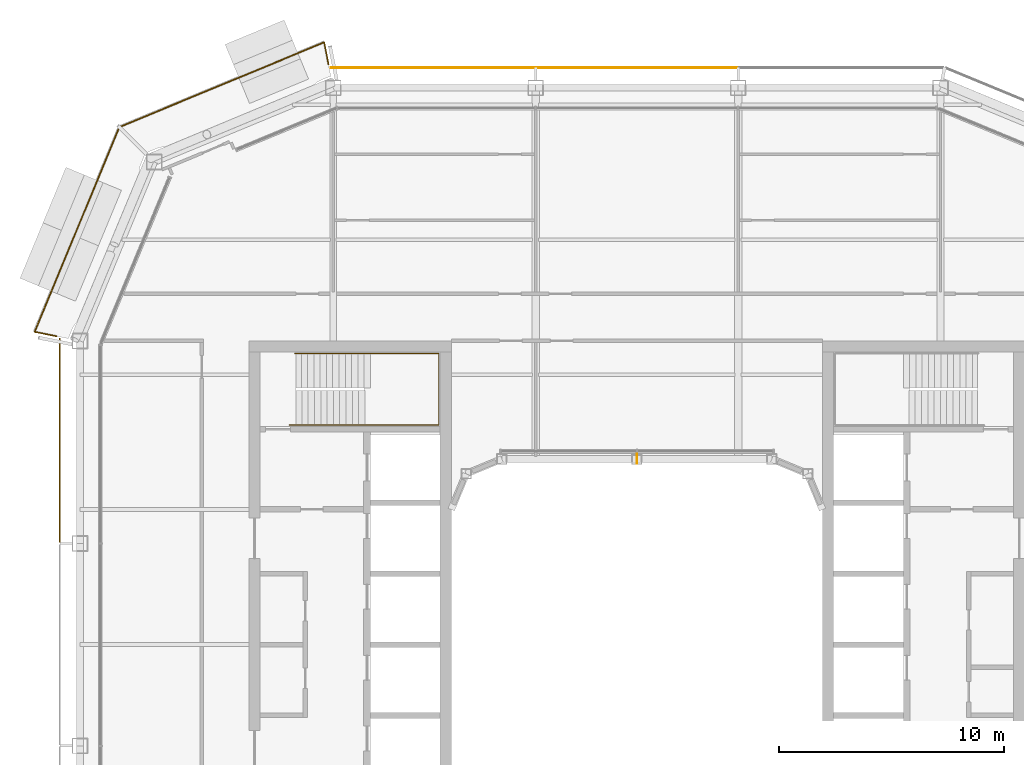
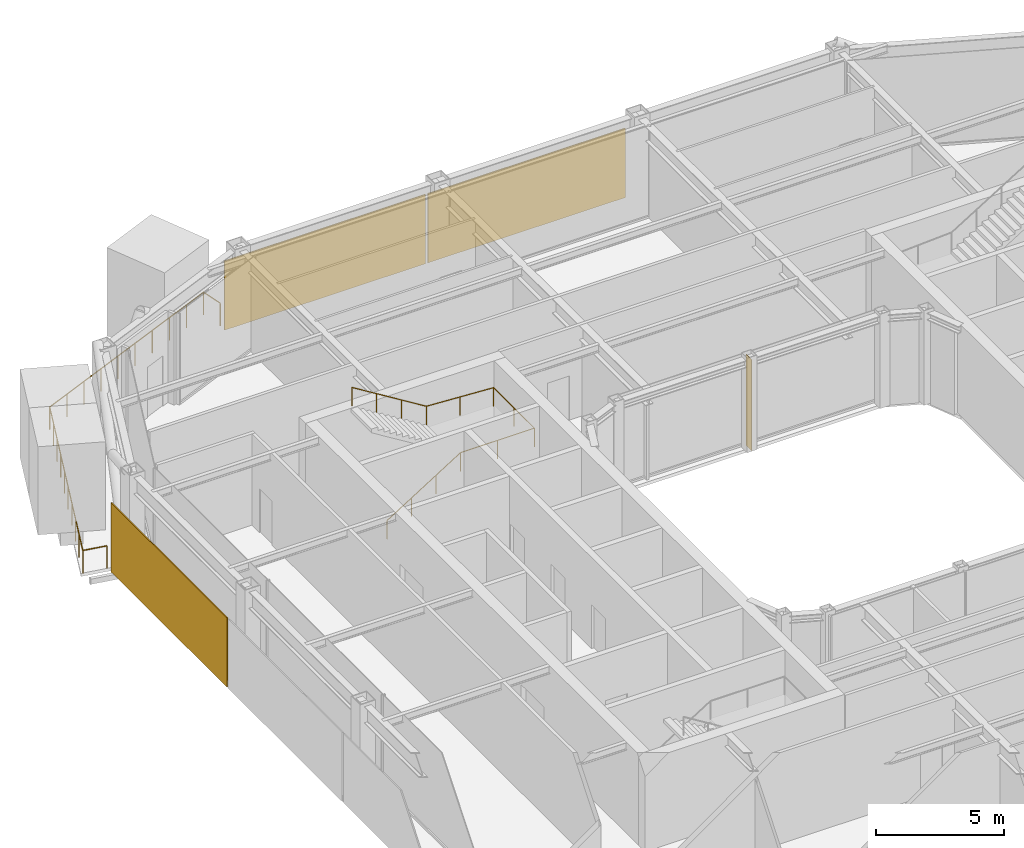
# One storey, part 20 of 22: 3 coverings, 2 railings, 1 shading device.
"""IFC4 building model written with IfcOpenShell, lengths in metres."""

from ifc_helpers import new_model, si_unit, direction, frame, origin, origin_2d, place, context, subcontext, project, spatial, rectangle, circle, extrude, material, layer, layer_set, type_object, element, save


model = new_model("IFC4")

# Units and contexts
model_context = context("Model", 3, precision=1e-05, world=origin(), true_north=direction((0.0, 1.0)))
body_context = subcontext(model_context, "Body", "Model", "MODEL_VIEW")
ifc_project = project(units=[si_unit("LENGTHUNIT", "METRE"), si_unit("AREAUNIT", "SQUARE_METRE"), si_unit("VOLUMEUNIT", "CUBIC_METRE"), si_unit("PLANEANGLEUNIT", "RADIAN"), si_unit("MASSUNIT", "GRAM", prefix="KILO")], contexts=[model_context])

# Site, building, storey
site_placement = place(None, origin())
site = spatial("IfcSite", under=ifc_project, at=site_placement, CompositionType="ELEMENT")
building_placement = place(site_placement, origin())
building = spatial("IfcBuilding", under=site, at=building_placement, Name="Siwar Civic Tower", CompositionType="ELEMENT")
storey_placement = place(building_placement, frame((0.0, 0.0, 330.199951171875)))
storey = spatial("IfcBuildingStorey", under=building, at=storey_placement, Name="L71", CompositionType="ELEMENT", Elevation=330.199951171875)

# Railing
ifc_material_1 = material(Name="Stainless steel", Category="steel")
railing_type_1 = type_object("IfcRailingType", Name="CORE-STAIR-HANDRAIL", PredefinedType="HANDRAIL", material=ifc_material_1)
railing_1_placement = place(storey_placement, frame((-15.449951171875, 9.758056640625, 0.173095703125)))
element("IfcRailing", 1, at=railing_1_placement, inside=storey, type_object=railing_type_1, Name="Stair handrail ST1", PredefinedType="HANDRAIL", context=body_context, shape_type="SweptSolid", body=[
    extrude(circle(Radius=0.02001953125, at=origin_2d()), frame((0.0, 0.0, 0.8798828125), z_axis=(0.847063342986, 0.0, 0.531491950051), x_axis=(0.0, 1.0, 0.0)), (0.0, 0.0, 1.0), 3.90771484375),
    extrude(circle(Radius=0.02001953125, at=origin_2d()), frame((3.31005859375, 0.0, 2.956787109375), z_axis=(1.0, 0.0, 0.0), x_axis=(0.0, 1.0, 0.0)), (0.0, 0.0, 1.0), 3.331787109375),
    extrude(circle(Radius=0.02001953125, at=origin_2d()), frame((6.641845703125, 0.0, 2.956787109375), z_axis=(0.0, 1.0, 0.0), x_axis=(-1.0, 0.0, 0.0)), (0.0, 0.0, 1.0), 3.183837890625),
    extrude(circle(Radius=0.02001953125, at=origin_2d()), frame((6.641845703125, 3.183837890625, 2.956787109375), z_axis=(-0.99837434197, 0.0, 0.056997134106), x_axis=(0.0, -1.0, 0.0)), (0.0, 0.0, 1.0), 3.036865234375),
    extrude(circle(Radius=0.02001953125, at=origin_2d()), frame((3.60986328125, 3.183837890625, 3.1298828125), z_axis=(-0.850606129759, 0.0, 0.525803396734), x_axis=(0.0, -1.0, 0.0)), (0.0, 0.0, 1.0), 3.949951171875),
    extrude(circle(Radius=0.02001953125, at=origin_2d()), origin(), (0.0, 0.0, 1.0), 0.85986328125),
    extrude(circle(Radius=0.02001953125, at=origin_2d()), frame((1.103271484375, 0.0, 0.6923828125)), (0.0, 0.0, 1.0), 0.85986328125),
    extrude(circle(Radius=0.02001953125, at=origin_2d()), frame((2.206787109375, 0.0, 1.384521484375)), (0.0, 0.0, 1.0), 0.85986328125),
    extrude(circle(Radius=0.02001953125, at=origin_2d()), frame((3.31005859375, 0.0, 2.076904296875)), (0.0, 0.0, 1.0), 0.85986328125),
    extrude(circle(Radius=0.02001953125, at=origin_2d()), frame((4.97607421875, 0.0, 2.076904296875)), (0.0, 0.0, 1.0), 0.85986328125),
    extrude(circle(Radius=0.02001953125, at=origin_2d()), frame((6.641845703125, 0.0, 2.076904296875)), (0.0, 0.0, 1.0), 0.85986328125),
    extrude(circle(Radius=0.02001953125, at=origin_2d()), frame((6.641845703125, 1.591796875, 2.076904296875)), (0.0, 0.0, 1.0), 0.85986328125),
    extrude(circle(Radius=0.02001953125, at=origin_2d()), frame((6.641845703125, 3.183837890625, 2.076904296875)), (0.0, 0.0, 1.0), 0.85986328125),
    extrude(circle(Radius=0.02001953125, at=origin_2d()), frame((5.1259765625, 3.183837890625, 2.16357421875)), (0.0, 0.0, 1.0), 0.85986328125),
    extrude(circle(Radius=0.02001953125, at=origin_2d()), frame((3.60986328125, 3.183837890625, 2.25)), (0.0, 0.0, 1.0), 0.85986328125),
    extrude(circle(Radius=0.02001953125, at=origin_2d()), frame((2.489990234375, 3.183837890625, 2.9423828125)), (0.0, 0.0, 1.0), 0.85986328125),
    extrude(circle(Radius=0.02001953125, at=origin_2d()), frame((1.369873046875, 3.183837890625, 3.634521484375)), (0.0, 0.0, 1.0), 0.85986328125),
    extrude(circle(Radius=0.02001953125, at=origin_2d()), frame((0.25, 3.183837890625, 4.326904296875)), (0.0, 0.0, 1.0), 0.85986328125),
])

# Shading device
ifc_material_2 = material(Name="Aluminium 6063-T6", Category="aluminium")
ifc_layer_1 = layer(ifc_material_2, 0.02001953125)
ifc_layer_set_1 = layer_set([ifc_layer_1], Name="Aluminium 6063-T6")
shading_device_type = type_object("IfcShadingDeviceType", Name="ENV-FIN", PredefinedType="JALOUSIE", material=ifc_layer_set_1)
shading_device_placement = place(storey_placement, frame((0.0, 8.27001953125, 0.0), z_axis=(0.0, 0.0, 1.0), x_axis=(-1.0, 0.0, 0.0)))
element("IfcShadingDevice", 2, at=shading_device_placement, inside=storey, type_object=shading_device_type, Name="SUNSHADE fin WN 1", PredefinedType="JALOUSIE", context=body_context, shape_type="SweptSolid", body=[
    extrude(rectangle(XDim=0.02001953125, YDim=0.449951171875, at=origin_2d()), origin(), (0.0, 0.0, 1.0), 4.35009765625),
])

# Railing
ifc_material_3 = material(Name="Stainless steel 316", Category="steel")
railing_type_2 = type_object("IfcRailingType", Name="ENV-GUARD", PredefinedType="GUARDRAIL", material=ifc_material_3)
railing_2_placement = place(storey_placement, frame((-13.708251953125, 25.797119140625, 0.0)))
element("IfcRailing", 3, at=railing_2_placement, inside=storey, type_object=railing_type_2, Name="Balcony guard NW", PredefinedType="GUARDRAIL", context=body_context, shape_type="SweptSolid", body=[
    extrude(circle(Radius=0.02392578125, at=origin_2d()), frame((0.0, 0.0, 1.076171875), z_axis=(-0.195123592472, 0.980778661911, 0.0), x_axis=(-0.980778661911, -0.195123592472, 0.0)), (0.0, 0.0, 1.0), 0.993408203125),
    extrude(circle(Radius=0.02392578125, at=origin_2d()), frame((-0.19384765625, 0.974365234375, 1.076171875), z_axis=(-0.924056377406, -0.38225621169, 0.0), x_axis=(0.38225621169, -0.924056377406, 0.0)), (0.0, 0.0, 1.0), 9.851806640625),
    extrude(circle(Radius=0.02392578125, at=origin_2d()), frame((-9.29736328125, -2.79150390625, 1.076171875), z_axis=(-0.38225621169, -0.924056377406, 0.0), x_axis=(0.924056377406, -0.38225621169, 0.0)), (0.0, 0.0, 1.0), 9.851806640625),
    extrude(circle(Radius=0.02392578125, at=origin_2d()), frame((-13.063232421875, -11.89501953125, 1.076171875), z_axis=(0.980778661911, -0.195123592472, 0.0), x_axis=(0.195123592472, 0.980778661911, 0.0)), (0.0, 0.0, 1.0), 0.993408203125),
    extrude(circle(Radius=0.02099609375, at=origin_2d()), origin(), (0.0, 0.0, 1.0), 1.052001953125),
    extrude(circle(Radius=0.02099609375, at=origin_2d()), frame((-0.19384765625, 0.974365234375, 0.0)), (0.0, 0.0, 1.0), 1.052001953125),
    extrude(circle(Radius=0.02099609375, at=origin_2d()), frame((-1.205322265625, 0.555908203125, 0.0)), (0.0, 0.0, 1.0), 1.052001953125),
    extrude(circle(Radius=0.02099609375, at=origin_2d()), frame((-2.216796875, 0.137451171875, 0.0)), (0.0, 0.0, 1.0), 1.052001953125),
    extrude(circle(Radius=0.02099609375, at=origin_2d()), frame((-3.228271484375, -0.281005859375, 0.0)), (0.0, 0.0, 1.0), 1.052001953125),
    extrude(circle(Radius=0.02099609375, at=origin_2d()), frame((-4.23974609375, -0.699462890625, 0.0)), (0.0, 0.0, 1.0), 1.052001953125),
    extrude(circle(Radius=0.02099609375, at=origin_2d()), frame((-5.25146484375, -1.11767578125, 0.0)), (0.0, 0.0, 1.0), 1.052001953125),
    extrude(circle(Radius=0.02099609375, at=origin_2d()), frame((-6.262939453125, -1.5361328125, 0.0)), (0.0, 0.0, 1.0), 1.052001953125),
    extrude(circle(Radius=0.02099609375, at=origin_2d()), frame((-7.2744140625, -1.95458984375, 0.0)), (0.0, 0.0, 1.0), 1.052001953125),
    extrude(circle(Radius=0.02099609375, at=origin_2d()), frame((-8.285888671875, -2.373046875, 0.0)), (0.0, 0.0, 1.0), 1.052001953125),
    extrude(circle(Radius=0.02099609375, at=origin_2d()), frame((-9.29736328125, -2.79150390625, 0.0)), (0.0, 0.0, 1.0), 1.052001953125),
    extrude(circle(Radius=0.02099609375, at=origin_2d()), frame((-9.7158203125, -3.802978515625, 0.0)), (0.0, 0.0, 1.0), 1.052001953125),
    extrude(circle(Radius=0.02099609375, at=origin_2d()), frame((-10.13427734375, -4.814453125, 0.0)), (0.0, 0.0, 1.0), 1.052001953125),
    extrude(circle(Radius=0.02099609375, at=origin_2d()), frame((-10.552734375, -5.825927734375, 0.0)), (0.0, 0.0, 1.0), 1.052001953125),
    extrude(circle(Radius=0.02099609375, at=origin_2d()), frame((-10.97119140625, -6.83740234375, 0.0)), (0.0, 0.0, 1.0), 1.052001953125),
    extrude(circle(Radius=0.02099609375, at=origin_2d()), frame((-11.389404296875, -7.84912109375, 0.0)), (0.0, 0.0, 1.0), 1.052001953125),
    extrude(circle(Radius=0.02099609375, at=origin_2d()), frame((-11.807861328125, -8.860595703125, 0.0)), (0.0, 0.0, 1.0), 1.052001953125),
    extrude(circle(Radius=0.02099609375, at=origin_2d()), frame((-12.226318359375, -9.8720703125, 0.0)), (0.0, 0.0, 1.0), 1.052001953125),
    extrude(circle(Radius=0.02099609375, at=origin_2d()), frame((-12.644775390625, -10.883544921875, 0.0)), (0.0, 0.0, 1.0), 1.052001953125),
    extrude(circle(Radius=0.02099609375, at=origin_2d()), frame((-13.063232421875, -11.89501953125, 0.0)), (0.0, 0.0, 1.0), 1.052001953125),
    extrude(circle(Radius=0.02099609375, at=origin_2d()), frame((-12.0888671875, -12.0888671875, 0.0)), (0.0, 0.0, 1.0), 1.052001953125),
])

# Coverings
ifc_material_4 = material(Name="Perforated aluminium cassette, pale metal", Category="aluminium")
ifc_layer_2 = layer(ifc_material_4, 0.0400390625)
ifc_layer_set_2 = layer_set([ifc_layer_2], Name="Perforated aluminium cassette, pale metal")
covering_type_1 = type_object("IfcCoveringType", Name="ENV-OUTER SKIN OS-1", PredefinedType="CLADDING", material=ifc_layer_set_2)
covering_1_placement = place(storey_placement, frame((0.0, 25.64990234375, -0.14990234375), z_axis=(0.0, 0.0, 1.0), x_axis=(-1.0, 0.0, 0.0)))
element("IfcCovering", 4, at=covering_1_placement, inside=storey, type_object=covering_type_1, Name="OUTER SKIN OS-1 N 2", PredefinedType="CLADDING", context=body_context, shape_type="SweptSolid", body=[
    extrude(rectangle(XDim=8.89990234375, YDim=0.0400390625, at=origin_2d()), origin(), (0.0, 0.0, 1.0), 3.300048828125),
])
covering_2_placement = place(storey_placement, frame((-9.07958984375, 25.64990234375, -0.14990234375), z_axis=(0.0, 0.0, 1.0), x_axis=(-1.0, 0.0, 0.0)))
element("IfcCovering", 5, at=covering_2_placement, inside=storey, type_object=covering_type_1, Name="OUTER SKIN OS-1 N 3", PredefinedType="CLADDING", context=body_context, shape_type="SweptSolid", body=[
    extrude(rectangle(XDim=9.05908203125, YDim=0.0400390625, at=origin_2d()), origin(), (0.0, 0.0, 1.0), 3.300048828125),
])
ifc_material_5 = material(Name="Perforated aluminium cassette, pale metal", Category="aluminium")
ifc_layer_3 = layer(ifc_material_5, 0.050048828125)
ifc_layer_set_3 = layer_set([ifc_layer_3], Name="Perforated aluminium cassette, pale metal")
covering_type_2 = type_object("IfcCoveringType", Name="ENV-OUTER SKIN OS-3", PredefinedType="CLADDING", material=ifc_layer_set_3)
covering_3_placement = place(storey_placement, frame((-25.64990234375, 9.07958984375, -0.14990234375), z_axis=(0.0, 0.0, 1.0), x_axis=(0.0, -1.0, 0.0)))
element("IfcCovering", 6, at=covering_3_placement, inside=storey, type_object=covering_type_2, Name="OUTER SKIN OS-3 W 1", PredefinedType="CLADDING", context=body_context, shape_type="SweptSolid", body=[
    extrude(rectangle(XDim=9.05908203125, YDim=0.050048828125, at=origin_2d()), origin(), (0.0, 0.0, 1.0), 3.300048828125),
])

save(model, "model.ifc")
